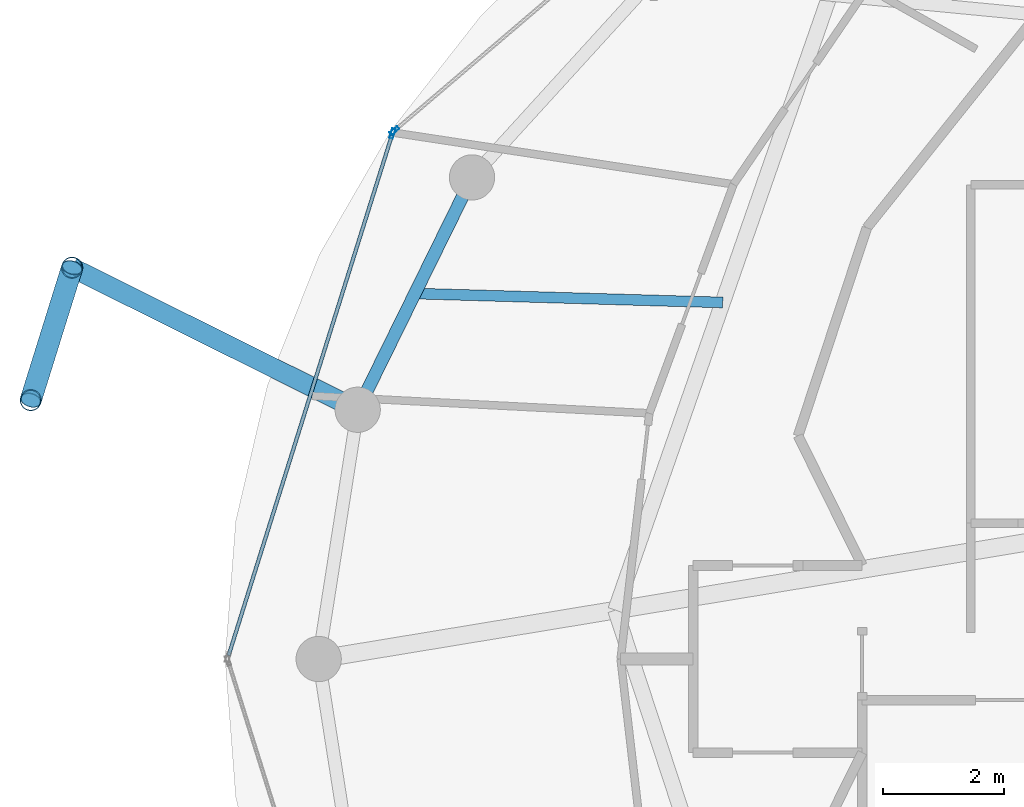
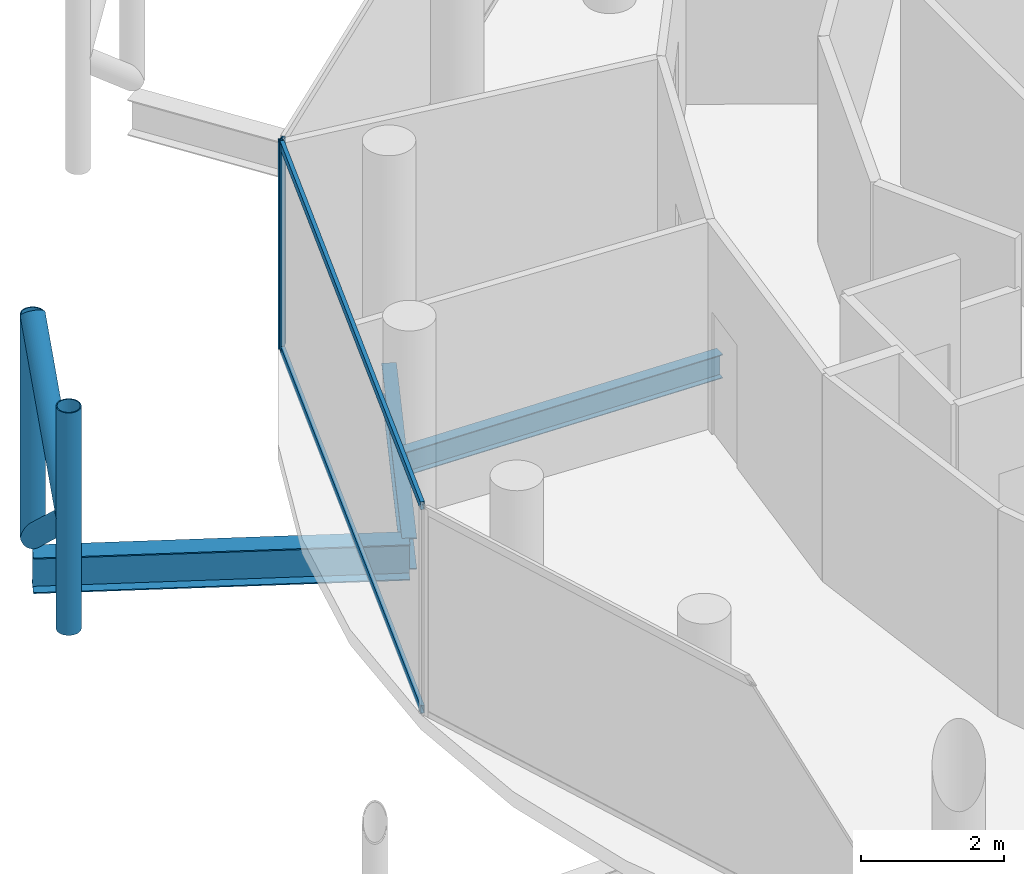
# One storey, part 7 of 24: 8 members, 3 beams, 2 elements without a shape of their own.
"""IFC4 building model written with IfcOpenShell, lengths in metres."""

import ifcopenshell
import ifcopenshell.guid

model = None  # the IFC model being written
_history = None  # IfcOwnerHistory: only IFC2X3 demands one
_inside = {}  # id of a spatial element -> (the spatial element, [elements in it])
_under = {}  # id of a project, library or spatial element -> (it, [spatial elements below it])
_declared = {}  # id of a project -> (the project, [libraries it declares])
_typed = {}  # id of a type object -> (the type object, [elements of that type])
_made_of = {}  # id of a material, layer set ... -> (it, [elements and type objects made of it])


def new_model(schema):
    """Start an empty IFC model of exactly this schema.

    Asked for "IFC4X3", IfcOpenShell would pick the latest addendum, in which some entities
    have other attributes; the version numbers below select the first issue.
    IFC2X3 requires an IfcOwnerHistory on every rooted entity: one is made here for all.
    """
    global model, _history
    if schema == "IFC4X3":
        model = ifcopenshell.file(schema_version=(4, 3, 0, 0))
    else:
        model = ifcopenshell.file(schema=schema)
    _inside.clear()
    _under.clear()
    _declared.clear()
    _typed.clear()
    _made_of.clear()
    _history = None
    if model.schema == "IFC2X3":
        org = make("IfcOrganization", Name="unknown")
        user = make(
            "IfcPersonAndOrganization",
            ThePerson=make("IfcPerson", FamilyName="unknown"),
            TheOrganization=org,
        )
        app = make(
            "IfcApplication",
            ApplicationDeveloper=org,
            Version="unknown",
            ApplicationFullName="unknown",
            ApplicationIdentifier="unknown",
        )
        _history = make(
            "IfcOwnerHistory",
            OwningUser=user,
            OwningApplication=app,
            ChangeAction="ADDED",
            CreationDate=0,
        )
    return model


def make(cls, **values):
    """One entity of the class cls with the attributes given. An attribute that is None is left unset."""
    return model.create_entity(
        cls, **{name: value for name, value in values.items() if value is not None}
    )


def rooted(cls, **values):
    """An entity with a GlobalId (a new one), such as an element, a storey or a relation."""
    return make(cls, GlobalId=ifcopenshell.guid.new(), OwnerHistory=_history, **values)


def si_unit(unit_type, name, prefix=None):
    """IfcSIUnit, for example si_unit("LENGTHUNIT", "METRE", prefix="MILLI")."""
    return make("IfcSIUnit", UnitType=unit_type, Prefix=prefix, Name=name)


def assignment(units):
    """IfcUnitAssignment: the units of a project."""
    return None if units is None else make("IfcUnitAssignment", Units=units)


def point(xyz):
    """IfcCartesianPoint."""
    return None if xyz is None else make("IfcCartesianPoint", Coordinates=xyz)


def direction(xyz):
    """IfcDirection."""
    return None if xyz is None else make("IfcDirection", DirectionRatios=xyz)


def frame(location, z_axis=None, x_axis=None):
    """IfcAxis2Placement3D, a coordinate frame: its origin and axes. An axis left out is left unset."""
    return make(
        "IfcAxis2Placement3D",
        Location=point(location),
        Axis=direction(z_axis),
        RefDirection=direction(x_axis),
    )


def frame_2d(location, x_axis=None):
    """IfcAxis2Placement2D, a coordinate frame in the plane: its origin and x axis."""
    return make(
        "IfcAxis2Placement2D", Location=point(location), RefDirection=direction(x_axis)
    )


def origin():
    """The frame at (0, 0, 0) with its axes left unset."""
    return frame((0.0, 0.0, 0.0))


def origin_2d():
    """The frame at (0, 0) in the plane with its x axis left unset."""
    return frame_2d((0.0, 0.0))


def place(relative_to, where):
    """IfcLocalPlacement: puts the frame where relative to a parent placement (None: the world)."""
    return make(
        "IfcLocalPlacement", PlacementRelTo=relative_to, RelativePlacement=where
    )


def context(
    kind, dimensions, precision=None, world=None, true_north=None, identifier=None
):
    """IfcGeometricRepresentationContext, for example the 3D "Model" context."""
    return make(
        "IfcGeometricRepresentationContext",
        ContextIdentifier=identifier,
        ContextType=kind,
        CoordinateSpaceDimension=dimensions,
        Precision=precision,
        WorldCoordinateSystem=world,
        TrueNorth=true_north,
    )


def subcontext(parent, identifier, kind, view, scale=None):
    """IfcGeometricRepresentationSubContext, for example "Body" below "Model"."""
    return make(
        "IfcGeometricRepresentationSubContext",
        ContextIdentifier=identifier,
        ContextType=kind,
        ParentContext=parent,
        TargetScale=scale,
        TargetView=view,
    )


def project(units=None, contexts=None):
    """IfcProject with its units and contexts."""
    return rooted(
        "IfcProject",
        Name="project",
        RepresentationContexts=contexts,
        UnitsInContext=assignment(units),
    )


def spatial(cls, under=None, at=None, **own):
    """A site, building, storey or space (cls), placed at a placement, below another one or the project."""
    s = rooted(cls, ObjectPlacement=at, **own)
    if under is not None:
        _under.setdefault(under.id(), (under, []))[1].append(s)
    return s


def profile(cls, at=None, kind="AREA", **sizes):
    """A parametric profile (cls). Its sizes go by their IFC names, for example OverallWidth=200.0."""
    return make(cls, ProfileType=kind, Position=at, **sizes)


def hollow_rectangle(**sizes):
    """IfcRectangleHollowProfileDef."""
    return profile("IfcRectangleHollowProfileDef", **sizes)


def hollow_circle(**sizes):
    """IfcCircleHollowProfileDef."""
    return profile("IfcCircleHollowProfileDef", **sizes)


def i_section(**sizes):
    """IfcIShapeProfileDef."""
    return profile("IfcIShapeProfileDef", **sizes)


def extrude(swept, where, along, depth):
    """IfcExtrudedAreaSolid: the profile swept, set in the frame where, extruded along a direction by depth."""
    return make(
        "IfcExtrudedAreaSolid",
        SweptArea=swept,
        Position=where,
        ExtrudedDirection=direction(along),
        Depth=depth,
    )


def shape(context_of_items, identifier, shape_type, items):
    """IfcShapeRepresentation: the items that make up one representation, for example the "Body"."""
    return make(
        "IfcShapeRepresentation",
        ContextOfItems=context_of_items,
        RepresentationIdentifier=identifier,
        RepresentationType=shape_type,
        Items=items,
    )


def material(Name=None, Category=None):
    """IfcMaterial."""
    return make("IfcMaterial", Name=Name, Category=Category)


def layer(
    of_material, thickness, ventilated=None, Name=None, Category=None, Priority=None
):
    """IfcMaterialLayer: one layer of a wall or slab, of a material (None: an air gap)."""
    return make(
        "IfcMaterialLayer",
        Material=of_material,
        LayerThickness=thickness,
        IsVentilated=ventilated,
        Name=Name,
        Category=Category,
        Priority=Priority,
    )


def layer_set(layers, Name=None):
    """IfcMaterialLayerSet."""
    return make("IfcMaterialLayerSet", MaterialLayers=layers, LayerSetName=Name)


def material_profile(
    of_material, cross_section, Name=None, Category=None, Priority=None
):
    """IfcMaterialProfile: a cross section and its material."""
    return make(
        "IfcMaterialProfile",
        Name=Name,
        Material=of_material,
        Profile=cross_section,
        Priority=Priority,
        Category=Category,
    )


def profile_set(profiles, Name=None, composite=None):
    """IfcMaterialProfileSet."""
    return make(
        "IfcMaterialProfileSet",
        Name=Name,
        MaterialProfiles=profiles,
        CompositeProfile=composite,
    )


def made_of(thing, what):
    """Note that an element or type object is made of a material, layer set ...; save() writes the relation."""
    if what is not None:
        _made_of.setdefault(what.id(), (what, []))[1].append(thing)
    return thing


def type_object(cls, material=None, **own):
    """A type object (cls), such as IfcWallType, which elements share."""
    return made_of(rooted(cls, **own), material)


def element(
    cls,
    number,
    at=None,
    inside=None,
    cuts=None,
    type_object=None,
    material=None,
    context=None,
    identifier="Body",
    shape_type=None,
    held_by="IfcProductDefinitionShape",
    body=None,
    shapes=None,
    **own,
):
    """One element of the class cls, such as IfcWall. Its Tag is "e" and its number.

    at: its placement. inside: the storey or other place that contains it. cuts: it is an
    opening in that element (IfcRelVoidsElement). A single representation is given by context,
    identifier, shape_type and body (its items); several are given by shapes. held_by: the class
    of the entity that holds the representations. save() writes the other relations.
    """
    e = rooted(cls, Tag="e%d" % number, ObjectPlacement=at, **own)
    if body is not None:
        shapes = [shape(context, identifier, shape_type, body)]
    if shapes is not None:
        e.Representation = make(held_by, Representations=shapes)
    if inside is not None:
        _inside.setdefault(inside.id(), (inside, []))[1].append(e)
    if cuts is not None:
        rooted(
            "IfcRelVoidsElement", RelatingBuildingElement=cuts, RelatedOpeningElement=e
        )
    if type_object is not None:
        _typed.setdefault(type_object.id(), (type_object, []))[1].append(e)
    return made_of(e, material)


def aggregate(whole, parts):
    """IfcRelAggregates: a whole, such as a stair, and the parts it consists of."""
    return rooted("IfcRelAggregates", RelatingObject=whole, RelatedObjects=parts)


def save(model, path):
    """Write the relations noted so far, then the file.

    IfcRelAggregates (storeys below a building ...), IfcRelContainedInSpatialStructure (elements
    in a storey), IfcRelDefinesByType, IfcRelAssociatesMaterial and IfcRelDeclares: one each for
    every whole, place, type object, material and project.
    """
    for whole, parts in _under.values():
        aggregate(whole, parts)
    for where, things in _inside.values():
        rooted(
            "IfcRelContainedInSpatialStructure",
            RelatedElements=things,
            RelatingStructure=where,
        )
    for kind, things in _typed.values():
        rooted("IfcRelDefinesByType", RelatedObjects=things, RelatingType=kind)
    for what, things in _made_of.values():
        rooted("IfcRelAssociatesMaterial", RelatedObjects=things, RelatingMaterial=what)
    for by, libraries in _declared.values():
        rooted("IfcRelDeclares", RelatingContext=by, RelatedDefinitions=libraries)
    model.write(path)


model = new_model("IFC4")

# Units and contexts
model_context = context("Model", 3, precision=1e-05, world=origin(), true_north=direction((0.0, 1.0)))
body_context = subcontext(model_context, "Body", "Model", "MODEL_VIEW")
ifc_project = project(units=[si_unit("LENGTHUNIT", "METRE"), si_unit("AREAUNIT", "SQUARE_METRE"), si_unit("VOLUMEUNIT", "CUBIC_METRE"), si_unit("PLANEANGLEUNIT", "RADIAN"), si_unit("MASSUNIT", "GRAM", prefix="KILO")], contexts=[model_context])

# Site, building, storey
site_placement = place(None, origin())
site = spatial("IfcSite", under=ifc_project, at=site_placement, CompositionType="ELEMENT")
building_placement = place(site_placement, origin())
building = spatial("IfcBuilding", under=site, at=building_placement, Name="Nuhasar Tower", CompositionType="ELEMENT")
storey_placement = place(building_placement, frame((0.0, 0.0, 278.39990234375)))
storey = spatial("IfcBuildingStorey", under=building, at=storey_placement, Name="L69", CompositionType="ELEMENT", Elevation=278.39990234375)

# Beams
ifc_material_1 = material(Name="Steel S355", Category="steel")
ifc_material_profile_1 = material_profile(ifc_material_1, i_section(OverallWidth=0.177978515625, OverallDepth=0.406005859375, WebThickness=0.0078125, FlangeThickness=0.0126953125, at=origin_2d()), Name="W16X40")
ifc_profile_set_1 = profile_set([ifc_material_profile_1], Name="Steel S355")
beam_type_1 = type_object("IfcBeamType", Name="BM-JST-W16X40", PredefinedType="JOIST", material=ifc_profile_set_1)
beam_1_placement = place(storey_placement, frame((26.739990234375, 32.7041015625, -0.462890625), z_axis=(-0.999579139243, 0.02900938453, 0.0), x_axis=(-0.02900938453, -0.999579139243, 0.0)))
element("IfcBeam", 1, at=beam_1_placement, inside=storey, type_object=beam_type_1, Name="L69 Secondary Floor Joist 07", PredefinedType="JOIST", context=body_context, shape_type="SweptSolid", body=[
    extrude(i_section(OverallWidth=0.177978515625, OverallDepth=0.406005859375, WebThickness=0.0078125, FlangeThickness=0.0126953125, at=origin_2d()), origin(), (0.0, 0.0, 1.0), 5.10009765625),
])
ifc_material_profile_2 = material_profile(ifc_material_1, i_section(OverallWidth=0.2099609375, OverallDepth=0.537109375, WebThickness=0.010986328125, FlangeThickness=0.017333984375, at=origin_2d()), Name="W21X68")
ifc_profile_set_2 = profile_set([ifc_material_profile_2], Name="Steel S355")
beam_type_2 = type_object("IfcBeamType", Name="BM-RING-W21X68", PredefinedType="SPANDREL", material=ifc_profile_set_2)
beam_2_placement = place(storey_placement, frame((22.589111328125, 34.77490234375, -0.52880859375), z_axis=(-0.441533119295, -0.897244952377, 0.0), x_axis=(0.897244952377, -0.441533119295, 0.0)))
element("IfcBeam", 2, at=beam_2_placement, inside=storey, type_object=beam_type_2, Name="L69 Perimeter Ring Spandrel 11", PredefinedType="SPANDREL", context=body_context, shape_type="SweptSolid", body=[
    extrude(i_section(OverallWidth=0.2099609375, OverallDepth=0.537109375, WebThickness=0.010986328125, FlangeThickness=0.017333984375, at=origin_2d()), origin(), (0.0, 0.0, 1.0), 4.28759765625),
])
ifc_material_profile_3 = material_profile(ifc_material_1, i_section(OverallWidth=0.323974609375, OverallDepth=0.611083984375, WebThickness=0.0126953125, FlangeThickness=0.01904296875, at=origin_2d()), Name="W24X104")
ifc_profile_set_3 = profile_set([ifc_material_profile_3], Name="Steel S355")
beam_type_3 = type_object("IfcBeamType", Name="BM-TIE-W24X104", PredefinedType="BEAM", material=ifc_profile_set_3)
beam_3_placement = place(storey_placement, frame((20.696044921875, 30.927978515625, -0.56591796875), z_axis=(-0.895294451274, 0.445474853969, 0.0), x_axis=(-0.445474853969, -0.895294451274, 0.0)))
element("IfcBeam", 3, at=beam_3_placement, inside=storey, type_object=beam_type_3, Name="L69 Exoskeleton Node Tie Beam 06", PredefinedType="BEAM", context=body_context, shape_type="SweptSolid", body=[
    extrude(i_section(OverallWidth=0.323974609375, OverallDepth=0.611083984375, WebThickness=0.0126953125, FlangeThickness=0.01904296875, at=origin_2d()), origin(), (0.0, 0.0, 1.0), 5.281982421875),
])

# Curtain wall, member
ifc_material_2 = material(Name="Aluminium 6063-T6", Category="aluminium")
ifc_layer = layer(ifc_material_2, 0.18994140625)
ifc_layer_set = layer_set([ifc_layer], Name="Aluminium 6063-T6")
curtain_wall_type = type_object("IfcCurtainWallType", Name="CW-Z4-PEN", PredefinedType="NOTDEFINED", material=ifc_layer_set)
curtain_wall_1_placement = place(storey_placement, origin())
curtain_wall_1 = element("IfcCurtainWall", 4, at=curtain_wall_1_placement, inside=storey, type_object=curtain_wall_type, Name="L69 Unitised Curtain Wall 05", PredefinedType="NOTDEFINED")
ifc_material_profile_4 = material_profile(ifc_material_2, hollow_rectangle(XDim=0.06005859375, YDim=0.1650390625, WallThickness=0.0048828125, at=origin_2d()), Name="CWM-5")
ifc_profile_set_4 = profile_set([ifc_material_profile_4], Name="Aluminium 6063-T6")
member_type_1 = type_object("IfcMemberType", Name="CW-MUL-S5", PredefinedType="MULLION", material=ifc_profile_set_4)
member_1_placement = place(storey_placement, frame((21.3037109375, 35.549560546875, 0.0), z_axis=(0.0, 0.0, 1.0), x_axis=(0.649141996205, -0.760667252327, 0.0)))
member_1 = element("IfcMember", 5, at=member_1_placement, type_object=member_type_1, Name="CW-Z4 mullion 2", PredefinedType="MULLION", context=body_context, shape_type="SweptSolid", body=[
    extrude(hollow_rectangle(XDim=0.06005859375, YDim=0.1650390625, WallThickness=0.0048828125, at=origin_2d()), origin(), (0.0, 0.0, 1.0), 3.5400390625),
])
aggregate(curtain_wall_1, [member_1])

# Curtain wall, members
curtain_wall_2_placement = place(storey_placement, origin())
curtain_wall_2 = element("IfcCurtainWall", 6, at=curtain_wall_2_placement, inside=storey, type_object=curtain_wall_type, Name="L69 Unitised Curtain Wall 06", PredefinedType="NOTDEFINED")
member_2_placement = place(storey_placement, frame((21.27197265625, 35.50146484375, 0.0), z_axis=(0.0, 0.0, 1.0), x_axis=(0.954078526601, -0.299556614146, 0.0)))
member_2 = element("IfcMember", 7, at=member_2_placement, type_object=member_type_1, Name="CW-Z4 mullion 1", PredefinedType="MULLION", context=body_context, shape_type="SweptSolid", body=[
    extrude(hollow_rectangle(XDim=0.06005859375, YDim=0.1650390625, WallThickness=0.0048828125, at=origin_2d()), origin(), (0.0, 0.0, 1.0), 3.5400390625),
])
ifc_material_profile_5 = material_profile(ifc_material_2, hollow_rectangle(XDim=0.06005859375, YDim=0.135009765625, WallThickness=0.00439453125, at=origin_2d()), Name="CWT-5")
ifc_profile_set_5 = profile_set([ifc_material_profile_5], Name="Aluminium 6063-T6")
member_type_2 = type_object("IfcMemberType", Name="CW-TRN-S5", PredefinedType="USERDEFINED", material=ifc_profile_set_5)
member_3_placement = place(storey_placement, frame((21.262939453125, 35.47265625, 0.030029296875), z_axis=(-0.29956014073, -0.954077419335, 0.0), x_axis=(0.954077419335, -0.29956014073, 0.0)))
member_3 = element("IfcMember", 8, at=member_3_placement, type_object=member_type_2, Name="CW-Z4 transom 1.1", ObjectType="TRANSOM", PredefinedType="USERDEFINED", context=body_context, shape_type="SweptSolid", body=[
    extrude(hollow_rectangle(XDim=0.06005859375, YDim=0.135009765625, WallThickness=0.00439453125, at=origin_2d()), origin(), (0.0, 0.0, 1.0), 9.0302734375),
])
member_4_placement = place(storey_placement, frame((21.262939453125, 35.47265625, 3.510009765625), z_axis=(-0.29956014073, -0.954077419335, 0.0), x_axis=(0.954077419335, -0.29956014073, 0.0)))
member_4 = element("IfcMember", 9, at=member_4_placement, type_object=member_type_2, Name="CW-Z4 transom 1.2", ObjectType="TRANSOM", PredefinedType="USERDEFINED", context=body_context, shape_type="SweptSolid", body=[
    extrude(hollow_rectangle(XDim=0.06005859375, YDim=0.135009765625, WallThickness=0.00439453125, at=origin_2d()), origin(), (0.0, 0.0, 1.0), 9.0302734375),
])
aggregate(curtain_wall_2, [member_2, member_3, member_4])

# Members
ifc_material_3 = material(Name="Steel S460", Category="steel")
ifc_material_profile_6 = material_profile(ifc_material_3, hollow_circle(Radius=0.177734375, WallThickness=0.015869140625, at=origin_2d()), Name="HSS355.6X15.9")
ifc_profile_set_6 = profile_set([ifc_material_profile_6], Name="Steel S460")
member_type_3 = type_object("IfcMemberType", Name="EXO-BRONZE-356", PredefinedType="BRACE", material=ifc_profile_set_6)
for number, where, z_axis, x_axis, name in (
    (10, (15.967041015625, 33.281005859375, 0.0), (0.0, 0.0, 1.0), (1.0, 0.0, 0.0), "L69 Exoskeleton Chord Column EC-06A"),
    (11, (15.281982421875, 31.0859375, 0.0), (0.0, 0.0, 1.0), (1.0, 0.0, 0.0), "L69 Exoskeleton Chord Column EC-06B"),
):
    element("IfcMember", number, at=place(storey_placement, frame(where, z_axis=z_axis, x_axis=x_axis)), inside=storey, type_object=member_type_3, Name=name, PredefinedType="BRACE", context=body_context, shape_type="SweptSolid", body=[
        extrude(hollow_circle(Radius=0.177734375, WallThickness=0.015869140625, at=origin_2d()), origin(), (0.0, 0.0, 1.0), 3.800048828125),
    ])
for number, where, z_axis, x_axis, name in (
    (12, (15.967041015625, 33.281005859375, 0.0), (-0.22965555433, -0.735863538482, 0.636995430987), (0.954591372974, -0.297918295247, 0.0), "L69 Bronze Diagrid Brace W1-06"),
    (13, (15.281982421875, 31.0859375, 1.900146484375), (0.229667527485, 0.735901902929, 0.636946792192), (-0.954591372974, 0.297918295247, 0.0), "L69 Bronze Diagrid Brace W2-06"),
):
    element("IfcMember", number, at=place(storey_placement, frame(where, z_axis=z_axis, x_axis=x_axis)), inside=storey, type_object=member_type_3, Name=name, PredefinedType="BRACE", context=body_context, shape_type="SweptSolid", body=[
        extrude(hollow_circle(Radius=0.177734375, WallThickness=0.015869140625, at=origin_2d()), origin(), (0.0, 0.0, 1.0), 2.98291015625),
    ])

save(model, "model.ifc")
